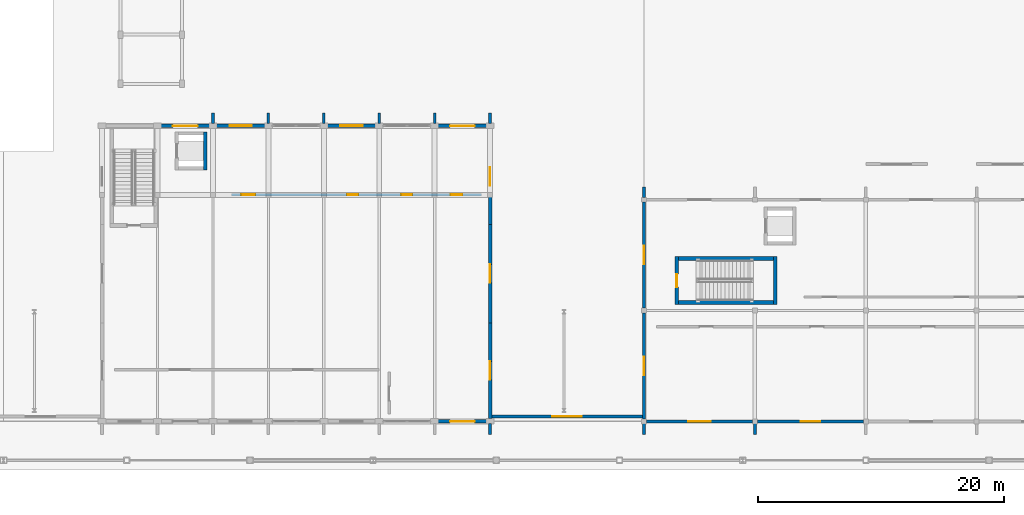
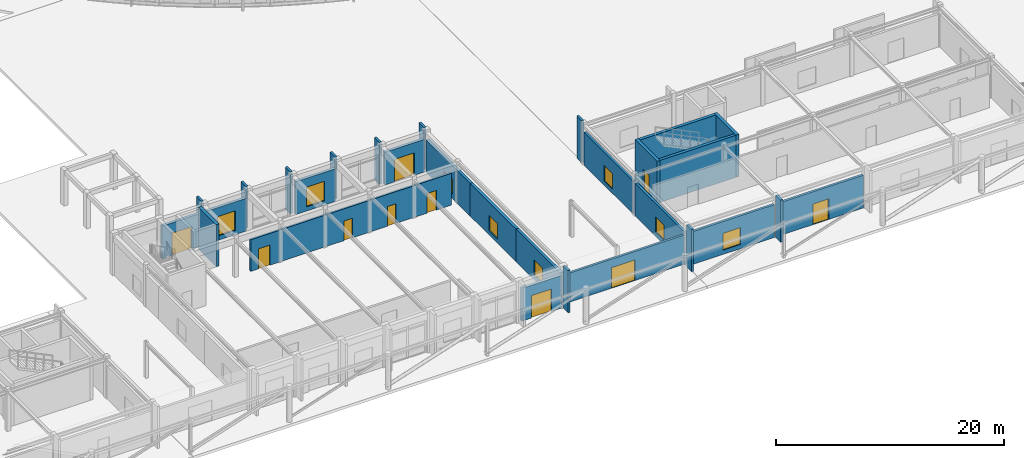
# One storey, part 27 of 61: 29 walls, 10 doors, 8 windows, 18 openings.
"""IFC4 building model written with IfcOpenShell, lengths in metres."""

from ifc_helpers import new_model, si_unit, direction, frame, frame_2d, origin, place, context, subcontext, project, spatial, rectangle, extrude, material, layer, layer_set, type_object, element, fill, save


model = new_model("IFC4")

# Units and contexts
model_context = context("Model", 3, precision=1e-05, world=origin(), true_north=direction((0.0, 1.0)))
body_context = subcontext(model_context, "Body", "Model", "MODEL_VIEW")
ifc_project = project(units=[si_unit("LENGTHUNIT", "METRE"), si_unit("AREAUNIT", "SQUARE_METRE"), si_unit("VOLUMEUNIT", "CUBIC_METRE"), si_unit("PLANEANGLEUNIT", "RADIAN"), si_unit("MASSUNIT", "GRAM", prefix="KILO")], contexts=[model_context])

# Site, building, storey
site_placement = place(None, origin())
site = spatial("IfcSite", under=ifc_project, at=site_placement, CompositionType="ELEMENT")
building_placement = place(site_placement, origin())
building = spatial("IfcBuilding", under=site, at=building_placement, Name="Zimvara Arc Housing Community", CompositionType="ELEMENT")
storey_placement = place(building_placement, origin())
storey = spatial("IfcBuildingStorey", under=building, at=storey_placement, Name="L00", CompositionType="ELEMENT", Elevation=0.0)

# Wall, opening, door
ifc_material_1 = material(Name="Board-Marked Fair-Faced Concrete C35/45", Category="concrete")
ifc_layer_1 = layer(ifc_material_1, 0.219970703125)
ifc_layer_set_1 = layer_set([ifc_layer_1], Name="Board-Marked Fair-Faced Concrete C35/45")
wall_type_1 = type_object("IfcWallType", Name="EWL-CONC-220", PredefinedType="SOLIDWALL", material=ifc_layer_set_1)
wall_1_placement = place(storey_placement, frame((99.5, 4.0, 0.0), z_axis=(0.0, 0.0, 1.0), x_axis=(1.0, 0.0, 0.0)))
wall_1 = element("IfcWall", 1, at=wall_1_placement, inside=storey, type_object=wall_type_1, Name="ewall:gate_host:court_e", PredefinedType="SOLIDWALL", context=body_context, shape_type="SweptSolid", body=[
    extrude(rectangle(XDim=12.5, YDim=0.219970703125, at=frame_2d((6.25, 0.0))), origin(), (0.0, 0.0, 1.0), 3.10009765625),
])
opening_1_placement = place(wall_1_placement, frame((5.050048828125, 0.0, 0.0)))
opening_1 = element("IfcOpeningElement", 2, at=opening_1_placement, cuts=wall_1, Name="Opening GT02", PredefinedType="OPENING", context=body_context, shape_type="SweptSolid", body=[
    extrude(rectangle(XDim=2.39990234375, YDim=2.199951171875, at=frame_2d((1.199951171875, 1.10009765625))), frame((0.0, 0.119873046875, 0.0), z_axis=(0.0, -1.0, 0.0), x_axis=(1.0, 0.0, 0.0)), (0.0, 0.0, 1.0), 0.239990234375),
])
ifc_material_2 = material(Name="Anodised Aluminium AW-6063", Category="aluminium")
door_type_1 = type_object("IfcDoorType", Name="GTE-SERV-2400x2200", OperationType="DOUBLE_DOOR_SINGLE_SWING", PredefinedType="GATE", material=ifc_material_2)
door_1_placement = place(opening_1_placement, origin())
door_1 = element("IfcDoor", 3, at=door_1_placement, inside=storey, type_object=door_type_1, Name="gate:court_e", OperationType="DOUBLE_DOOR_SINGLE_SWING", OverallHeight=2.199951171875, OverallWidth=2.39990234375, PredefinedType="GATE", context=body_context, shape_type="SweptSolid", body=[
    extrude(rectangle(XDim=2.39990234375, YDim=2.199951171875, at=frame_2d((1.199951171875, 1.10009765625))), frame((0.0, 0.02490234375, 0.0), z_axis=(0.0, -1.0, 0.0), x_axis=(1.0, 0.0, 0.0)), (0.0, 0.0, 1.0), 0.050048828125),
])
fill(opening_1, door_1)

ifc_material_3 = material(Name="Board-Marked Fair-Faced Concrete C40/50", Category="concrete")
ifc_layer_2 = layer(ifc_material_3, 0.284912109375)
ifc_layer_set_2 = layer_set([ifc_layer_2], Name="Board-Marked Fair-Faced Concrete C40/50")
wall_type_2 = type_object("IfcWallType", Name="EWL-HALL-285", PredefinedType="SOLIDWALL", material=ifc_layer_set_2)
wall_2_placement = place(storey_placement, frame((95.25, 3.60009765625, 0.0), z_axis=(0.0, 0.0, 1.0), x_axis=(1.0, 0.0, 0.0)))
wall_2 = element("IfcWall", 4, at=wall_2_placement, inside=storey, type_object=wall_type_2, Name="ewall:hall:L00:south:b6", PredefinedType="SOLIDWALL", context=body_context, shape_type="SweptSolid", body=[
    extrude(rectangle(XDim=4.0, YDim=0.284912109375, at=frame_2d((2.0, 0.0))), origin(), (0.0, 0.0, 1.0), 3.5),
])
opening_2_placement = place(wall_2_placement, frame((1.0, 0.0, 0.0)))
opening_2 = element("IfcOpeningElement", 5, at=opening_2_placement, cuts=wall_2, Name="Opening ED03", PredefinedType="OPENING", context=body_context, shape_type="SweptSolid", body=[
    extrude(rectangle(XDim=2.0, YDim=2.39990234375, at=frame_2d((1.0, 1.199951171875))), frame((0.0, 0.15234375, 0.0), z_axis=(0.0, -1.0, 0.0), x_axis=(1.0, 0.0, 0.0)), (0.0, 0.0, 1.0), 0.304931640625),
])
ifc_material_4 = material(Name="Anodised Aluminium AW-6063", Category="aluminium")
door_type_2 = type_object("IfcDoorType", Name="EDR-HALL-2000x2400", OperationType="DOUBLE_DOOR_SINGLE_SWING", PredefinedType="DOOR", material=ifc_material_4)
door_2_placement = place(opening_2_placement, origin())
door_2 = element("IfcDoor", 6, at=door_2_placement, inside=storey, type_object=door_type_2, Name="edoor:hall:L00:south:b6", OperationType="DOUBLE_DOOR_SINGLE_SWING", OverallHeight=2.39990234375, OverallWidth=2.0, PredefinedType="DOOR", context=body_context, shape_type="SweptSolid", body=[
    extrude(rectangle(XDim=2.0, YDim=2.39990234375, at=frame_2d((1.0, 1.199951171875))), frame((0.0, 0.02490234375, 0.0), z_axis=(0.0, -1.0, 0.0), x_axis=(1.0, 0.0, 0.0)), (0.0, 0.0, 1.0), 0.050048828125),
])
fill(opening_2, door_2)

wall_3_placement = place(storey_placement, frame((72.75, 27.60009765625, 0.0), z_axis=(0.0, 0.0, 1.0), x_axis=(1.0, 0.0, 0.0)))
wall_3 = element("IfcWall", 7, at=wall_3_placement, inside=storey, type_object=wall_type_2, Name="ewall:hall:L00:north:b1", PredefinedType="SOLIDWALL", context=body_context, shape_type="SweptSolid", body=[
    extrude(rectangle(XDim=4.0, YDim=0.284912109375, at=frame_2d((2.0, 0.0))), origin(), (0.0, 0.0, 1.0), 3.5),
])
opening_3_placement = place(wall_3_placement, frame((1.0, 0.0, 0.0)))
opening_3 = element("IfcOpeningElement", 8, at=opening_3_placement, cuts=wall_3, Name="Opening ED03", PredefinedType="OPENING", context=body_context, shape_type="SweptSolid", body=[
    extrude(rectangle(XDim=2.0, YDim=2.39990234375, at=frame_2d((1.0, 1.199951171875))), frame((0.0, 0.15234375, 0.0), z_axis=(0.0, -1.0, 0.0), x_axis=(1.0, 0.0, 0.0)), (0.0, 0.0, 1.0), 0.304931640625),
])
door_3_placement = place(opening_3_placement, origin())
door_3 = element("IfcDoor", 9, at=door_3_placement, inside=storey, type_object=door_type_2, Name="edoor:hall:L00:north:b1", OperationType="DOUBLE_DOOR_SINGLE_SWING", OverallHeight=2.39990234375, OverallWidth=2.0, PredefinedType="DOOR", context=body_context, shape_type="SweptSolid", body=[
    extrude(rectangle(XDim=2.0, YDim=2.39990234375, at=frame_2d((1.0, 1.199951171875))), frame((0.0, 0.02490234375, 0.0), z_axis=(0.0, -1.0, 0.0), x_axis=(1.0, 0.0, 0.0)), (0.0, 0.0, 1.0), 0.050048828125),
])
fill(opening_3, door_3)

# Wall, opening, window
wall_4_placement = place(storey_placement, frame((77.25, 27.60009765625, 0.0), z_axis=(0.0, 0.0, 1.0), x_axis=(1.0, 0.0, 0.0)))
wall_4 = element("IfcWall", 10, at=wall_4_placement, inside=storey, type_object=wall_type_2, Name="ewall:hall:L00:north:b2", PredefinedType="SOLIDWALL", context=body_context, shape_type="SweptSolid", body=[
    extrude(rectangle(XDim=4.0, YDim=0.284912109375, at=frame_2d((2.0, 0.0))), origin(), (0.0, 0.0, 1.0), 3.5),
])
opening_4_placement = place(wall_4_placement, frame((1.10009765625, 0.0, 0.449951171875)))
opening_4 = element("IfcOpeningElement", 11, at=opening_4_placement, cuts=wall_4, Name="Opening W17", PredefinedType="OPENING", context=body_context, shape_type="SweptSolid", body=[
    extrude(rectangle(XDim=1.800048828125, YDim=2.10009765625, at=frame_2d((0.89990234375, 1.050048828125))), frame((0.0, 0.15234375, 0.0), z_axis=(0.0, -1.0, 0.0), x_axis=(1.0, 0.0, 0.0)), (0.0, 0.0, 1.0), 0.304931640625),
])
ifc_material_5 = material(Name="Solar Control Low-E Double Glazing", Category="glass")
window_type_1 = type_object("IfcWindowType", Name="WIN-HALL-1800x2100", PartitioningType="DOUBLE_PANEL_HORIZONTAL", PredefinedType="WINDOW", material=ifc_material_5)
window_1_placement = place(opening_4_placement, origin())
window_1 = element("IfcWindow", 12, at=window_1_placement, inside=storey, type_object=window_type_1, Name="win:hall:L00:north:b2", OverallHeight=2.10009765625, OverallWidth=1.800048828125, PartitioningType="DOUBLE_PANEL_HORIZONTAL", PredefinedType="WINDOW", context=body_context, shape_type="SweptSolid", body=[
    extrude(rectangle(XDim=1.800048828125, YDim=2.10009765625, at=frame_2d((0.89990234375, 1.050048828125))), frame((0.0, 0.030029296875, 0.0), z_axis=(0.0, -1.0, 0.0), x_axis=(1.0, 0.0, 0.0)), (0.0, 0.0, 1.0), 0.06005859375),
])
fill(opening_4, window_1)

wall_5_placement = place(storey_placement, frame((86.25, 27.60009765625, 0.0), z_axis=(0.0, 0.0, 1.0), x_axis=(1.0, 0.0, 0.0)))
wall_5 = element("IfcWall", 13, at=wall_5_placement, inside=storey, type_object=wall_type_2, Name="ewall:hall:L00:north:b4", PredefinedType="SOLIDWALL", context=body_context, shape_type="SweptSolid", body=[
    extrude(rectangle(XDim=4.0, YDim=0.284912109375, at=frame_2d((2.0, 0.0))), origin(), (0.0, 0.0, 1.0), 3.5),
])
opening_5_placement = place(wall_5_placement, frame((1.10009765625, 0.0, 0.449951171875)))
opening_5 = element("IfcOpeningElement", 14, at=opening_5_placement, cuts=wall_5, Name="Opening W17", PredefinedType="OPENING", context=body_context, shape_type="SweptSolid", body=[
    extrude(rectangle(XDim=1.800048828125, YDim=2.10009765625, at=frame_2d((0.89990234375, 1.050048828125))), frame((0.0, 0.15234375, 0.0), z_axis=(0.0, -1.0, 0.0), x_axis=(1.0, 0.0, 0.0)), (0.0, 0.0, 1.0), 0.304931640625),
])
window_2_placement = place(opening_5_placement, origin())
window_2 = element("IfcWindow", 15, at=window_2_placement, inside=storey, type_object=window_type_1, Name="win:hall:L00:north:b4", OverallHeight=2.10009765625, OverallWidth=1.800048828125, PartitioningType="DOUBLE_PANEL_HORIZONTAL", PredefinedType="WINDOW", context=body_context, shape_type="SweptSolid", body=[
    extrude(rectangle(XDim=1.800048828125, YDim=2.10009765625, at=frame_2d((0.89990234375, 1.050048828125))), frame((0.0, 0.030029296875, 0.0), z_axis=(0.0, -1.0, 0.0), x_axis=(1.0, 0.0, 0.0)), (0.0, 0.0, 1.0), 0.06005859375),
])
fill(opening_5, window_2)

# Wall, opening, door
wall_6_placement = place(storey_placement, frame((95.25, 27.60009765625, 0.0), z_axis=(0.0, 0.0, 1.0), x_axis=(1.0, 0.0, 0.0)))
wall_6 = element("IfcWall", 16, at=wall_6_placement, inside=storey, type_object=wall_type_2, Name="ewall:hall:L00:north:b6", PredefinedType="SOLIDWALL", context=body_context, shape_type="SweptSolid", body=[
    extrude(rectangle(XDim=4.0, YDim=0.284912109375, at=frame_2d((2.0, 0.0))), origin(), (0.0, 0.0, 1.0), 3.5),
])
opening_6_placement = place(wall_6_placement, frame((1.0, 0.0, 0.0)))
opening_6 = element("IfcOpeningElement", 17, at=opening_6_placement, cuts=wall_6, Name="Opening ED03", PredefinedType="OPENING", context=body_context, shape_type="SweptSolid", body=[
    extrude(rectangle(XDim=2.0, YDim=2.39990234375, at=frame_2d((1.0, 1.199951171875))), frame((0.0, 0.15234375, 0.0), z_axis=(0.0, -1.0, 0.0), x_axis=(1.0, 0.0, 0.0)), (0.0, 0.0, 1.0), 0.304931640625),
])
door_4_placement = place(opening_6_placement, origin())
door_4 = element("IfcDoor", 18, at=door_4_placement, inside=storey, type_object=door_type_2, Name="edoor:hall:L00:north:b6", OperationType="DOUBLE_DOOR_SINGLE_SWING", OverallHeight=2.39990234375, OverallWidth=2.0, PredefinedType="DOOR", context=body_context, shape_type="SweptSolid", body=[
    extrude(rectangle(XDim=2.0, YDim=2.39990234375, at=frame_2d((1.0, 1.199951171875))), frame((0.0, 0.02490234375, 0.0), z_axis=(0.0, -1.0, 0.0), x_axis=(1.0, 0.0, 0.0)), (0.0, 0.0, 1.0), 0.050048828125),
])
fill(opening_6, door_4)

# Wall, opening, window
wall_7_placement = place(storey_placement, frame((99.5, 3.85009765625, 0.0), z_axis=(0.0, 0.0, 1.0), x_axis=(0.0, 1.0, 0.0)))
wall_7 = element("IfcWall", 19, at=wall_7_placement, inside=storey, type_object=wall_type_2, Name="ewall:hall:L00:east:b0", PredefinedType="SOLIDWALL", context=body_context, shape_type="SweptSolid", body=[
    extrude(rectangle(XDim=7.75, YDim=0.284912109375, at=frame_2d((3.875, 0.0))), origin(), (0.0, 0.0, 1.0), 3.5),
])
opening_7_placement = place(wall_7_placement, frame((3.125, 0.0, 0.449951171875)))
opening_7 = element("IfcOpeningElement", 20, at=opening_7_placement, cuts=wall_7, Name="Opening W07", PredefinedType="OPENING", context=body_context, shape_type="SweptSolid", body=[
    extrude(rectangle(XDim=1.5, YDim=1.64990234375, at=frame_2d((0.75, 0.824951171875))), frame((0.0, 0.15234375, 0.0), z_axis=(0.0, -1.0, 0.0), x_axis=(1.0, 0.0, 0.0)), (0.0, 0.0, 1.0), 0.304931640625),
])
ifc_material_6 = material(Name="Solar Control Low-E Double Glazing", Category="glass")
window_type_2 = type_object("IfcWindowType", Name="WIN-RES-1500x1650", PartitioningType="DOUBLE_PANEL_VERTICAL", PredefinedType="WINDOW", material=ifc_material_6)
window_3_placement = place(opening_7_placement, origin())
window_3 = element("IfcWindow", 21, at=window_3_placement, inside=storey, type_object=window_type_2, Name="win:hall:L00:east:b0", OverallHeight=1.64990234375, OverallWidth=1.5, PartitioningType="DOUBLE_PANEL_VERTICAL", PredefinedType="WINDOW", context=body_context, shape_type="SweptSolid", body=[
    extrude(rectangle(XDim=1.5, YDim=1.64990234375, at=frame_2d((0.75, 0.824951171875))), frame((0.0, 0.030029296875, 0.0), z_axis=(0.0, -1.0, 0.0), x_axis=(1.0, 0.0, 0.0)), (0.0, 0.0, 1.0), 0.06005859375),
])
fill(opening_7, window_3)

wall_8_placement = place(storey_placement, frame((99.5, 11.60009765625, 0.0), z_axis=(0.0, 0.0, 1.0), x_axis=(0.0, 1.0, 0.0)))
wall_8 = element("IfcWall", 22, at=wall_8_placement, inside=storey, type_object=wall_type_2, Name="ewall:hall:L00:east:b1", PredefinedType="SOLIDWALL", context=body_context, shape_type="SweptSolid", body=[
    extrude(rectangle(XDim=8.0, YDim=0.284912109375, at=frame_2d((4.0, 0.0))), origin(), (0.0, 0.0, 1.0), 3.5),
])
opening_8_placement = place(wall_8_placement, frame((3.25, 0.0, 0.449951171875)))
opening_8 = element("IfcOpeningElement", 23, at=opening_8_placement, cuts=wall_8, Name="Opening W07", PredefinedType="OPENING", context=body_context, shape_type="SweptSolid", body=[
    extrude(rectangle(XDim=1.5, YDim=1.64990234375, at=frame_2d((0.75, 0.824951171875))), frame((0.0, 0.15234375, 0.0), z_axis=(0.0, -1.0, 0.0), x_axis=(1.0, 0.0, 0.0)), (0.0, 0.0, 1.0), 0.304931640625),
])
window_4_placement = place(opening_8_placement, origin())
window_4 = element("IfcWindow", 24, at=window_4_placement, inside=storey, type_object=window_type_2, Name="win:hall:L00:east:b1", OverallHeight=1.64990234375, OverallWidth=1.5, PartitioningType="DOUBLE_PANEL_VERTICAL", PredefinedType="WINDOW", context=body_context, shape_type="SweptSolid", body=[
    extrude(rectangle(XDim=1.5, YDim=1.64990234375, at=frame_2d((0.75, 0.824951171875))), frame((0.0, 0.030029296875, 0.0), z_axis=(0.0, -1.0, 0.0), x_axis=(1.0, 0.0, 0.0)), (0.0, 0.0, 1.0), 0.06005859375),
])
fill(opening_8, window_4)

wall_9_placement = place(storey_placement, frame((99.5, 19.60009765625, 0.0), z_axis=(0.0, 0.0, 1.0), x_axis=(0.0, 1.0, 0.0)))
wall_9 = element("IfcWall", 25, at=wall_9_placement, inside=storey, type_object=wall_type_2, Name="ewall:hall:L00:east:b2", PredefinedType="SOLIDWALL", context=body_context, shape_type="SweptSolid", body=[
    extrude(rectangle(XDim=7.75, YDim=0.284912109375, at=frame_2d((3.875, 0.0))), origin(), (0.0, 0.0, 1.0), 3.5),
])
opening_9_placement = place(wall_9_placement, frame((3.125, 0.0, 0.449951171875)))
opening_9 = element("IfcOpeningElement", 26, at=opening_9_placement, cuts=wall_9, Name="Opening W07", PredefinedType="OPENING", context=body_context, shape_type="SweptSolid", body=[
    extrude(rectangle(XDim=1.5, YDim=1.64990234375, at=frame_2d((0.75, 0.824951171875))), frame((0.0, 0.15234375, 0.0), z_axis=(0.0, -1.0, 0.0), x_axis=(1.0, 0.0, 0.0)), (0.0, 0.0, 1.0), 0.304931640625),
])
window_5_placement = place(opening_9_placement, origin())
window_5 = element("IfcWindow", 27, at=window_5_placement, inside=storey, type_object=window_type_2, Name="win:hall:L00:east:b2", OverallHeight=1.64990234375, OverallWidth=1.5, PartitioningType="DOUBLE_PANEL_VERTICAL", PredefinedType="WINDOW", context=body_context, shape_type="SweptSolid", body=[
    extrude(rectangle(XDim=1.5, YDim=1.64990234375, at=frame_2d((0.75, 0.824951171875))), frame((0.0, 0.030029296875, 0.0), z_axis=(0.0, -1.0, 0.0), x_axis=(1.0, 0.0, 0.0)), (0.0, 0.0, 1.0), 0.06005859375),
])
fill(opening_9, window_5)

# Walls
ifc_material_7 = material(Name="Board-Marked Fair-Faced Concrete C35/45", Category="concrete")
ifc_layer_3 = layer(ifc_material_7, 0.219970703125)
ifc_layer_set_3 = layer_set([ifc_layer_3], Name="Board-Marked Fair-Faced Concrete C35/45")
wall_type_3 = type_object("IfcWallType", Name="EWL-PARA-220", PredefinedType="PARAPET", material=ifc_layer_set_3)
for number, where, z_axis, x_axis, name in (
    (28, (77.0, 27.780029296875, 0.0), (0.0, 0.0, 1.0), (0.0, 1.0, 0.0), "finwall:hall:L00:n:2"),
    (29, (81.5, 27.780029296875, 0.0), (0.0, 0.0, 1.0), (0.0, 1.0, 0.0), "finwall:hall:L00:n:3"),
    (30, (86.0, 27.780029296875, 0.0), (0.0, 0.0, 1.0), (0.0, 1.0, 0.0), "finwall:hall:L00:n:4"),
    (31, (90.5, 27.780029296875, 0.0), (0.0, 0.0, 1.0), (0.0, 1.0, 0.0), "finwall:hall:L00:n:5"),
    (32, (95.0, 27.780029296875, 0.0), (0.0, 0.0, 1.0), (0.0, 1.0, 0.0), "finwall:hall:L00:n:6"),
    (33, (99.5, 2.550048828125, 0.0), (0.0, 0.0, 1.0), (0.0, 1.0, 0.0), "finwall:hall:L00:s:7"),
    (34, (99.5, 27.780029296875, 0.0), (0.0, 0.0, 1.0), (0.0, 1.0, 0.0), "finwall:hall:L00:n:7"),
    (35, (112.0, 2.550048828125, 0.0), (0.0, 0.0, 1.0), (0.0, 1.0, 0.0), "finwall:nursery:L00:s:0"),
    (36, (112.0, 21.780029296875, 0.0), (0.0, 0.0, 1.0), (0.0, 1.0, 0.0), "finwall:nursery:L00:n:0"),
    (37, (121.0, 2.550048828125, 0.0), (0.0, 0.0, 1.0), (0.0, 1.0, 0.0), "finwall:nursery:L00:s:1"),
):
    element("IfcWall", number, at=place(storey_placement, frame(where, z_axis=z_axis, x_axis=x_axis)), inside=storey, type_object=wall_type_3, Name=name, PredefinedType="PARAPET", context=body_context, shape_type="SweptSolid", body=[
        extrude(rectangle(XDim=0.869873046875, YDim=0.219970703125, at=frame_2d((0.43505859375, 0.0))), origin(), (0.0, 0.0, 1.0), 4.5),
    ])

# Wall, opening, window
ifc_material_8 = material(Name="Pigmented Fair-Faced Concrete C35/45", Category="concrete")
ifc_layer_4 = layer(ifc_material_8, 0.235107421875)
ifc_layer_set_4 = layer_set([ifc_layer_4], Name="Pigmented Fair-Faced Concrete C35/45")
wall_type_4 = type_object("IfcWallType", Name="EWL-PIGM-235", PredefinedType="SOLIDWALL", material=ifc_layer_set_4)
wall_10_placement = place(storey_placement, frame((112.195068359375, 3.60009765625, 0.0), z_axis=(0.0, 0.0, 1.0), x_axis=(1.0, 0.0, 0.0)))
wall_10 = element("IfcWall", 38, at=wall_10_placement, inside=storey, type_object=wall_type_4, Name="ewall:nursery:L00:south:b0", PredefinedType="SOLIDWALL", context=body_context, shape_type="SweptSolid", body=[
    extrude(rectangle(XDim=8.60986328125, YDim=0.235107421875, at=frame_2d((4.304931640625, 0.0))), origin(), (0.0, 0.0, 1.0), 3.5),
])
opening_10_placement = place(wall_10_placement, frame((3.405029296875, 0.0, 0.449951171875)))
opening_10 = element("IfcOpeningElement", 39, at=opening_10_placement, cuts=wall_10, Name="Opening W13", PredefinedType="OPENING", context=body_context, shape_type="SweptSolid", body=[
    extrude(rectangle(XDim=1.800048828125, YDim=1.800048828125, at=frame_2d((0.89990234375, 0.89990234375))), frame((0.0, 0.12744140625, 0.0), z_axis=(0.0, -1.0, 0.0), x_axis=(1.0, 0.0, 0.0)), (0.0, 0.0, 1.0), 0.255126953125),
])
ifc_material_9 = material(Name="Solar Control Low-E Double Glazing", Category="glass")
window_type_3 = type_object("IfcWindowType", Name="WIN-NURS-1800x1800", PartitioningType="TRIPLE_PANEL_VERTICAL", PredefinedType="WINDOW", material=ifc_material_9)
window_6_placement = place(opening_10_placement, origin())
window_6 = element("IfcWindow", 40, at=window_6_placement, inside=storey, type_object=window_type_3, Name="win:nursery:L00:south:b0", OverallHeight=1.800048828125, OverallWidth=1.800048828125, PartitioningType="TRIPLE_PANEL_VERTICAL", PredefinedType="WINDOW", context=body_context, shape_type="SweptSolid", body=[
    extrude(rectangle(XDim=1.800048828125, YDim=1.800048828125, at=frame_2d((0.89990234375, 0.89990234375))), frame((0.0, 0.030029296875, 0.0), z_axis=(0.0, -1.0, 0.0), x_axis=(1.0, 0.0, 0.0)), (0.0, 0.0, 1.0), 0.06005859375),
])
fill(opening_10, window_6)

# Wall, opening, door
wall_11_placement = place(storey_placement, frame((121.195068359375, 3.60009765625, 0.0), z_axis=(0.0, 0.0, 1.0), x_axis=(1.0, 0.0, 0.0)))
wall_11 = element("IfcWall", 41, at=wall_11_placement, inside=storey, type_object=wall_type_4, Name="ewall:nursery:L00:south:b1", PredefinedType="SOLIDWALL", context=body_context, shape_type="SweptSolid", body=[
    extrude(rectangle(XDim=8.60986328125, YDim=0.235107421875, at=frame_2d((4.304931640625, 0.0))), origin(), (0.0, 0.0, 1.0), 3.5),
])
opening_11_placement = place(wall_11_placement, frame((3.5048828125, 0.0, 0.0)))
opening_11 = element("IfcOpeningElement", 42, at=opening_11_placement, cuts=wall_11, Name="Opening ED05", PredefinedType="OPENING", context=body_context, shape_type="SweptSolid", body=[
    extrude(rectangle(XDim=1.60009765625, YDim=2.199951171875, at=frame_2d((0.800048828125, 1.10009765625))), frame((0.0, 0.12744140625, 0.0), z_axis=(0.0, -1.0, 0.0), x_axis=(1.0, 0.0, 0.0)), (0.0, 0.0, 1.0), 0.255126953125),
])
ifc_material_10 = material(Name="Anodised Aluminium AW-6063", Category="aluminium")
door_type_3 = type_object("IfcDoorType", Name="EDR-NURS-1600x2200", OperationType="DOUBLE_DOOR_SINGLE_SWING", PredefinedType="DOOR", material=ifc_material_10)
door_5_placement = place(opening_11_placement, origin())
door_5 = element("IfcDoor", 43, at=door_5_placement, inside=storey, type_object=door_type_3, Name="edoor:nursery:L00:south:b1", OperationType="DOUBLE_DOOR_SINGLE_SWING", OverallHeight=2.199951171875, OverallWidth=1.60009765625, PredefinedType="DOOR", context=body_context, shape_type="SweptSolid", body=[
    extrude(rectangle(XDim=1.60009765625, YDim=2.199951171875, at=frame_2d((0.800048828125, 1.10009765625))), frame((0.0, 0.02490234375, 0.0), z_axis=(0.0, -1.0, 0.0), x_axis=(1.0, 0.0, 0.0)), (0.0, 0.0, 1.0), 0.050048828125),
])
fill(opening_11, door_5)

# Wall, opening, window
wall_12_placement = place(storey_placement, frame((112.0, 3.794921875, 0.0), z_axis=(0.0, 0.0, 1.0), x_axis=(0.0, 1.0, 0.0)))
wall_12 = element("IfcWall", 44, at=wall_12_placement, inside=storey, type_object=wall_type_4, Name="ewall:nursery:L00:west:b0", PredefinedType="SOLIDWALL", context=body_context, shape_type="SweptSolid", body=[
    extrude(rectangle(XDim=8.610107421875, YDim=0.235107421875, at=frame_2d((4.30517578125, 0.0))), origin(), (0.0, 0.0, 1.0), 3.5),
])
opening_12_placement = place(wall_12_placement, frame((3.554931640625, 0.0, 0.449951171875)))
opening_12 = element("IfcOpeningElement", 45, at=opening_12_placement, cuts=wall_12, Name="Opening W07", PredefinedType="OPENING", context=body_context, shape_type="SweptSolid", body=[
    extrude(rectangle(XDim=1.5, YDim=1.64990234375, at=frame_2d((0.75, 0.824951171875))), frame((0.0, 0.12744140625, 0.0), z_axis=(0.0, -1.0, 0.0), x_axis=(1.0, 0.0, 0.0)), (0.0, 0.0, 1.0), 0.255126953125),
])
window_7_placement = place(opening_12_placement, origin())
window_7 = element("IfcWindow", 46, at=window_7_placement, inside=storey, type_object=window_type_2, Name="win:nursery:L00:west:b0", OverallHeight=1.64990234375, OverallWidth=1.5, PartitioningType="DOUBLE_PANEL_VERTICAL", PredefinedType="WINDOW", context=body_context, shape_type="SweptSolid", body=[
    extrude(rectangle(XDim=1.5, YDim=1.64990234375, at=frame_2d((0.75, 0.824951171875))), frame((0.0, 0.030029296875, 0.0), z_axis=(0.0, -1.0, 0.0), x_axis=(1.0, 0.0, 0.0)), (0.0, 0.0, 1.0), 0.06005859375),
])
fill(opening_12, window_7)

wall_13_placement = place(storey_placement, frame((112.0, 12.794921875, 0.0), z_axis=(0.0, 0.0, 1.0), x_axis=(0.0, 1.0, 0.0)))
wall_13 = element("IfcWall", 47, at=wall_13_placement, inside=storey, type_object=wall_type_4, Name="ewall:nursery:L00:west:b1", PredefinedType="SOLIDWALL", context=body_context, shape_type="SweptSolid", body=[
    extrude(rectangle(XDim=8.610107421875, YDim=0.235107421875, at=frame_2d((4.30517578125, 0.0))), origin(), (0.0, 0.0, 1.0), 3.5),
])
opening_13_placement = place(wall_13_placement, frame((3.554931640625, 0.0, 0.449951171875)))
opening_13 = element("IfcOpeningElement", 48, at=opening_13_placement, cuts=wall_13, Name="Opening W07", PredefinedType="OPENING", context=body_context, shape_type="SweptSolid", body=[
    extrude(rectangle(XDim=1.5, YDim=1.64990234375, at=frame_2d((0.75, 0.824951171875))), frame((0.0, 0.12744140625, 0.0), z_axis=(0.0, -1.0, 0.0), x_axis=(1.0, 0.0, 0.0)), (0.0, 0.0, 1.0), 0.255126953125),
])
window_8_placement = place(opening_13_placement, origin())
window_8 = element("IfcWindow", 49, at=window_8_placement, inside=storey, type_object=window_type_2, Name="win:nursery:L00:west:b1", OverallHeight=1.64990234375, OverallWidth=1.5, PartitioningType="DOUBLE_PANEL_VERTICAL", PredefinedType="WINDOW", context=body_context, shape_type="SweptSolid", body=[
    extrude(rectangle(XDim=1.5, YDim=1.64990234375, at=frame_2d((0.75, 0.824951171875))), frame((0.0, 0.030029296875, 0.0), z_axis=(0.0, -1.0, 0.0), x_axis=(1.0, 0.0, 0.0)), (0.0, 0.0, 1.0), 0.06005859375),
])
fill(opening_13, window_8)

# Wall, openings, doors
ifc_material_11 = material(Name="Concrete C35/45", Category="concrete")
ifc_layer_5 = layer(ifc_material_11, 0.199951171875)
ifc_layer_set_5 = layer_set([ifc_layer_5], Name="Concrete C35/45")
wall_type_5 = type_object("IfcWallType", Name="IWL-CORR-200", PredefinedType="SOLIDWALL", material=ifc_layer_set_5)
wall_14_placement = place(storey_placement, frame((78.5, 22.0, 0.0), z_axis=(0.0, 0.0, 1.0), x_axis=(1.0, 0.0, 0.0)))
wall_14 = element("IfcWall", 50, at=wall_14_placement, inside=storey, type_object=wall_type_5, Name="iwall:civ:hall_back", PredefinedType="SOLIDWALL", context=body_context, shape_type="SweptSolid", body=[
    extrude(rectangle(XDim=20.300048828125, YDim=0.199951171875, at=frame_2d((10.14990234375, 0.0))), origin(), (0.0, 0.0, 1.0), 3.39990234375),
])
opening_14_placement = place(wall_14_placement, frame((0.800048828125, 0.0, 0.0)))
opening_14 = element("IfcOpeningElement", 51, at=opening_14_placement, cuts=wall_14, Name="Opening D07", PredefinedType="OPENING", context=body_context, shape_type="SweptSolid", body=[
    extrude(rectangle(XDim=1.1201171875, YDim=2.14990234375, at=frame_2d((0.56005859375, 1.074951171875))), frame((0.0, 0.10986328125, 0.0), z_axis=(0.0, -1.0, 0.0), x_axis=(1.0, 0.0, 0.0)), (0.0, 0.0, 1.0), 0.219970703125),
])
opening_15_placement = place(wall_14_placement, frame((9.39990234375, 0.0, 0.0)))
opening_15 = element("IfcOpeningElement", 52, at=opening_15_placement, cuts=wall_14, Name="Opening D05", PredefinedType="OPENING", context=body_context, shape_type="SweptSolid", body=[
    extrude(rectangle(XDim=0.8798828125, YDim=2.10009765625, at=frame_2d((0.43994140625, 1.050048828125))), frame((0.0, 0.10986328125, 0.0), z_axis=(0.0, -1.0, 0.0), x_axis=(1.0, 0.0, 0.0)), (0.0, 0.0, 1.0), 0.219970703125),
])
opening_16_placement = place(wall_14_placement, frame((13.800048828125, 0.0, 0.0)))
opening_16 = element("IfcOpeningElement", 53, at=opening_16_placement, cuts=wall_14, Name="Opening D05", PredefinedType="OPENING", context=body_context, shape_type="SweptSolid", body=[
    extrude(rectangle(XDim=0.8798828125, YDim=2.10009765625, at=frame_2d((0.43994140625, 1.050048828125))), frame((0.0, 0.10986328125, 0.0), z_axis=(0.0, -1.0, 0.0), x_axis=(1.0, 0.0, 0.0)), (0.0, 0.0, 1.0), 0.219970703125),
])
opening_17_placement = place(wall_14_placement, frame((17.800048828125, 0.0, 0.0)))
opening_17 = element("IfcOpeningElement", 54, at=opening_17_placement, cuts=wall_14, Name="Opening D06", PredefinedType="OPENING", context=body_context, shape_type="SweptSolid", body=[
    extrude(rectangle(XDim=0.949951171875, YDim=2.10009765625, at=frame_2d((0.47509765625, 1.050048828125))), frame((0.0, 0.10986328125, 0.0), z_axis=(0.0, -1.0, 0.0), x_axis=(1.0, 0.0, 0.0)), (0.0, 0.0, 1.0), 0.219970703125),
])
ifc_material_12 = material(Name="Mozambican Hardwood", Category="wood")
door_type_4 = type_object("IfcDoorType", Name="IDR-AMN-1120x2150", OperationType="NOTDEFINED", PredefinedType="DOOR", material=ifc_material_12)
door_6_placement = place(opening_14_placement, origin())
door_6 = element("IfcDoor", 55, at=door_6_placement, inside=storey, type_object=door_type_4, Name="idoor:civ:hst_d", OperationType="SINGLE_SWING_RIGHT", OverallHeight=2.14990234375, OverallWidth=1.1201171875, PredefinedType="DOOR", context=body_context, shape_type="SweptSolid", body=[
    extrude(rectangle(XDim=1.1201171875, YDim=2.14990234375, at=frame_2d((0.56005859375, 1.074951171875))), frame((0.0, 0.02490234375, 0.0), z_axis=(0.0, -1.0, 0.0), x_axis=(1.0, 0.0, 0.0)), (0.0, 0.0, 1.0), 0.050048828125),
])
fill(opening_14, door_6)
ifc_material_13 = material(Name="Mozambican Hardwood", Category="wood")
door_type_5 = type_object("IfcDoorType", Name="IDR-AWC-0950x2100", OperationType="NOTDEFINED", PredefinedType="DOOR", material=ifc_material_13)
door_7_placement = place(opening_17_placement, origin())
door_7 = element("IfcDoor", 56, at=door_7_placement, inside=storey, type_object=door_type_5, Name="idoor:civ:hawc_d", OperationType="SINGLE_SWING_LEFT", OverallHeight=2.10009765625, OverallWidth=0.949951171875, PredefinedType="DOOR", context=body_context, shape_type="SweptSolid", body=[
    extrude(rectangle(XDim=0.949951171875, YDim=2.10009765625, at=frame_2d((0.47509765625, 1.050048828125))), frame((0.0, 0.02490234375, 0.0), z_axis=(0.0, -1.0, 0.0), x_axis=(1.0, 0.0, 0.0)), (0.0, 0.0, 1.0), 0.050048828125),
])
fill(opening_17, door_7)
ifc_material_14 = material(Name="Mozambican Hardwood", Category="wood")
door_type_6 = type_object("IfcDoorType", Name="IDR-WC-0880x2100", OperationType="NOTDEFINED", PredefinedType="DOOR", material=ifc_material_14)
door_8_placement = place(opening_15_placement, origin())
door_8 = element("IfcDoor", 57, at=door_8_placement, inside=storey, type_object=door_type_6, Name="idoor:civ:hmwc_d", OperationType="SINGLE_SWING_LEFT", OverallHeight=2.10009765625, OverallWidth=0.8798828125, PredefinedType="DOOR", context=body_context, shape_type="SweptSolid", body=[
    extrude(rectangle(XDim=0.8798828125, YDim=2.10009765625, at=frame_2d((0.43994140625, 1.050048828125))), frame((0.0, 0.02490234375, 0.0), z_axis=(0.0, -1.0, 0.0), x_axis=(1.0, 0.0, 0.0)), (0.0, 0.0, 1.0), 0.050048828125),
])
fill(opening_15, door_8)
door_9_placement = place(opening_16_placement, origin())
door_9 = element("IfcDoor", 58, at=door_9_placement, inside=storey, type_object=door_type_6, Name="idoor:civ:hfwc_d", OperationType="SINGLE_SWING_RIGHT", OverallHeight=2.10009765625, OverallWidth=0.8798828125, PredefinedType="DOOR", context=body_context, shape_type="SweptSolid", body=[
    extrude(rectangle(XDim=0.8798828125, YDim=2.10009765625, at=frame_2d((0.43994140625, 1.050048828125))), frame((0.0, 0.02490234375, 0.0), z_axis=(0.0, -1.0, 0.0), x_axis=(1.0, 0.0, 0.0)), (0.0, 0.0, 1.0), 0.050048828125),
])
fill(opening_16, door_9)

# Wall
ifc_material_15 = material(Name="Concrete C40/50", Category="concrete")
ifc_layer_6 = layer(ifc_material_15, 0.280029296875)
ifc_layer_set_6 = layer_set([ifc_layer_6], Name="Concrete C40/50")
wall_type_6 = type_object("IfcWallType", Name="WL-CORE-280", PredefinedType="SHEAR", material=ifc_layer_set_6)
wall_15_placement = place(storey_placement, frame((76.375, 24.02490234375, 0.0), z_axis=(0.0, 0.0, 1.0), x_axis=(0.0, 1.0, 0.0)))
element("IfcWall", 59, at=wall_15_placement, inside=storey, type_object=wall_type_6, Name="lwall:LP-H1:L00:back", PredefinedType="SHEAR", context=body_context, shape_type="SweptSolid", body=[
    extrude(rectangle(XDim=3.090087890625, YDim=0.280029296875, at=frame_2d((1.544921875, 0.0))), origin(), (0.0, 0.0, 1.0), 4.5),
])

# Wall, opening, door
ifc_material_16 = material(Name="Concrete C40/50", Category="concrete")
ifc_layer_7 = layer(ifc_material_16, 0.300048828125)
ifc_layer_set_7 = layer_set([ifc_layer_7], Name="Concrete C40/50")
wall_type_7 = type_object("IfcWallType", Name="WL-CORE-300", PredefinedType="SHEAR", material=ifc_layer_set_7)
wall_16_placement = place(storey_placement, frame((114.655029296875, 13.10498046875, 0.0), z_axis=(0.0, 0.0, 1.0), x_axis=(0.0, 1.0, 0.0)))
wall_16 = element("IfcWall", 60, at=wall_16_placement, inside=storey, type_object=wall_type_7, Name="cwall:ST-N1:L00:near", PredefinedType="SHEAR", context=body_context, shape_type="SweptSolid", body=[
    extrude(rectangle(XDim=3.8701171875, YDim=0.300048828125, at=frame_2d((1.93505859375, 0.0))), origin(), (0.0, 0.0, 1.0), 4.5),
])
opening_18_placement = place(wall_16_placement, frame((1.409912109375, 0.0, 0.0)))
opening_18 = element("IfcOpeningElement", 61, at=opening_18_placement, cuts=wall_16, Name="Opening FD-ST2", PredefinedType="OPENING", context=body_context, shape_type="SweptSolid", body=[
    extrude(rectangle(XDim=1.050048828125, YDim=2.14990234375, at=frame_2d((0.52490234375, 1.074951171875))), frame((0.0, 0.159912109375, 0.0), z_axis=(0.0, -1.0, 0.0), x_axis=(1.0, 0.0, 0.0)), (0.0, 0.0, 1.0), 0.320068359375),
])
ifc_material_17 = material(Name="Anodised Aluminium AW-6063", Category="aluminium")
door_type_7 = type_object("IfcDoorType", Name="IDR-ST-1050x2150", OperationType="NOTDEFINED", PredefinedType="DOOR", material=ifc_material_17)
door_10_placement = place(opening_18_placement, origin())
door_10 = element("IfcDoor", 62, at=door_10_placement, inside=storey, type_object=door_type_7, Name="idoor:ST-N1:L00:entry", OperationType="SINGLE_SWING_RIGHT", OverallHeight=2.14990234375, OverallWidth=1.050048828125, PredefinedType="DOOR", context=body_context, shape_type="SweptSolid", body=[
    extrude(rectangle(XDim=1.050048828125, YDim=2.14990234375, at=frame_2d((0.52490234375, 1.074951171875))), frame((0.0, 0.02490234375, 0.0), z_axis=(0.0, -1.0, 0.0), x_axis=(1.0, 0.0, 0.0)), (0.0, 0.0, 1.0), 0.050048828125),
])
fill(opening_18, door_10)

# Walls
wall_17_placement = place(storey_placement, frame((122.64501953125, 13.10498046875, 0.0), z_axis=(0.0, 0.0, 1.0), x_axis=(0.0, 1.0, 0.0)))
element("IfcWall", 63, at=wall_17_placement, inside=storey, type_object=wall_type_7, Name="cwall:ST-N1:L00:far", PredefinedType="SHEAR", context=body_context, shape_type="SweptSolid", body=[
    extrude(rectangle(XDim=3.8701171875, YDim=0.300048828125, at=frame_2d((1.93505859375, 0.0))), origin(), (0.0, 0.0, 1.0), 4.5),
])
for number, where, z_axis, x_axis, name in (
    (64, (114.804931640625, 13.2548828125, 0.0), (0.0, 0.0, 1.0), (1.0, 0.0, 0.0), "cwall:ST-N1:L00:left"),
    (65, (114.804931640625, 16.824951171875, 0.0), (0.0, 0.0, 1.0), (1.0, 0.0, 0.0), "cwall:ST-N1:L00:right"),
):
    element("IfcWall", number, at=place(storey_placement, frame(where, z_axis=z_axis, x_axis=x_axis)), inside=storey, type_object=wall_type_7, Name=name, PredefinedType="SHEAR", context=body_context, shape_type="SweptSolid", body=[
        extrude(rectangle(XDim=7.690185546875, YDim=0.300048828125, at=frame_2d((3.84521484375, 0.0))), origin(), (0.0, 0.0, 1.0), 4.5),
    ])

save(model, "model.ifc")
